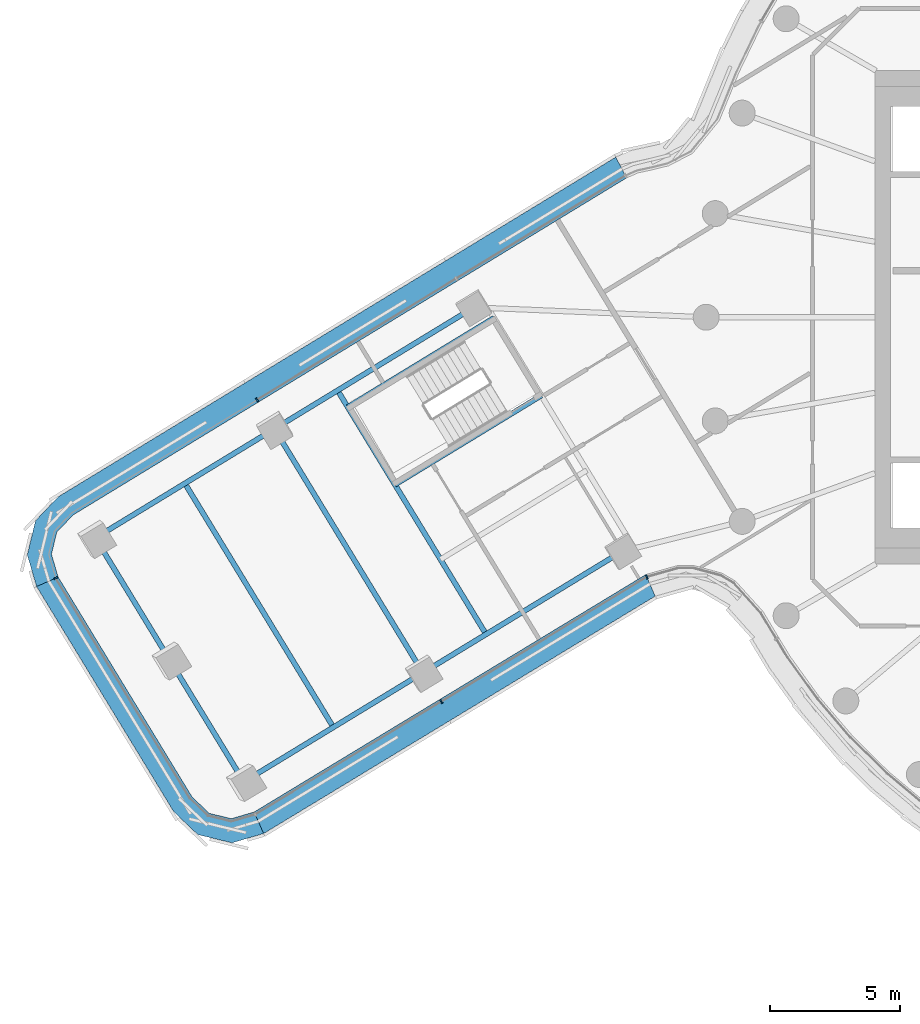
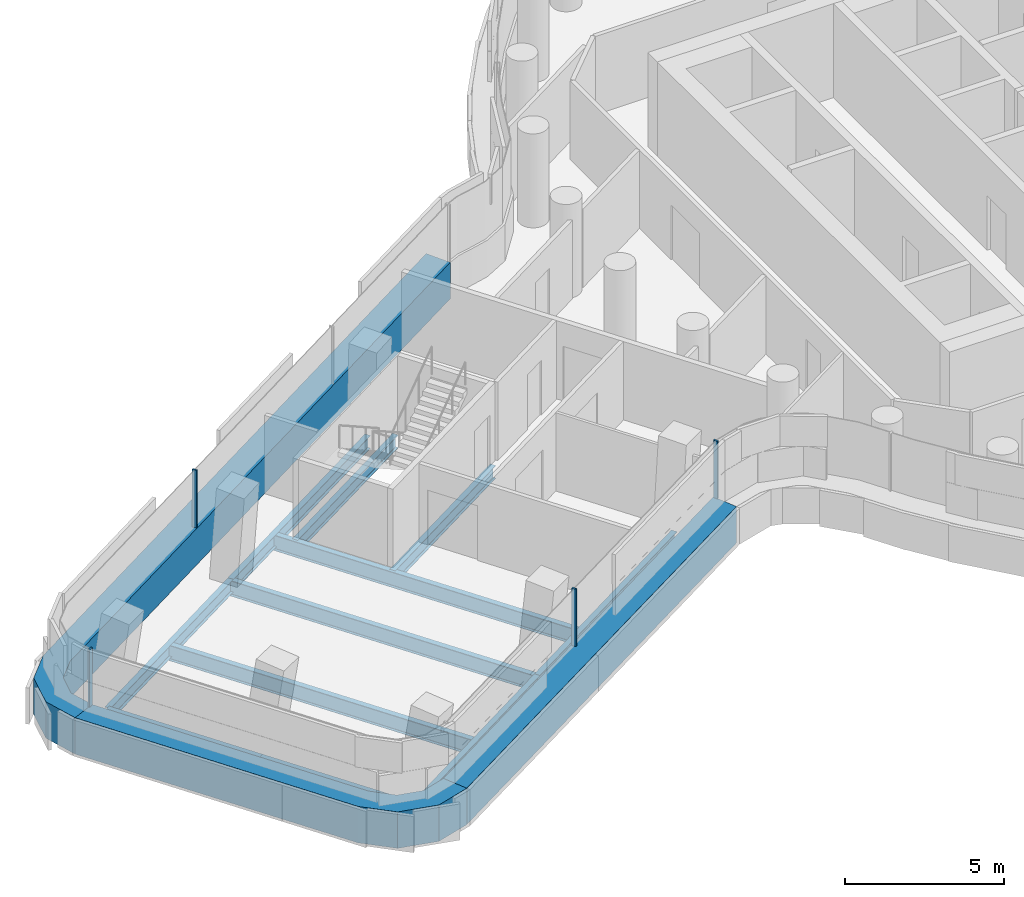
# One storey, part 7 of 35: 11 beams, 7 members, 4 elements without a shape of their own.
"""IFC4 building model written with IfcOpenShell, lengths in metres."""

from ifc_helpers import new_model, si_unit, direction, frame, origin, origin_2d, place, context, subcontext, project, spatial, polyline, rectangle, i_section, outline, extrude, material, layer, layer_set, material_profile, profile_set, type_object, element, aggregate, save


model = new_model("IFC4")

# Units and contexts
model_context = context("Model", 3, precision=1e-05, world=origin(), true_north=direction((0.0, 1.0)))
body_context = subcontext(model_context, "Body", "Model", "MODEL_VIEW")
ifc_project = project(units=[si_unit("LENGTHUNIT", "METRE"), si_unit("AREAUNIT", "SQUARE_METRE"), si_unit("VOLUMEUNIT", "CUBIC_METRE"), si_unit("PLANEANGLEUNIT", "RADIAN"), si_unit("MASSUNIT", "GRAM", prefix="KILO")], contexts=[model_context])

# Site, building, storey
site_placement = place(None, origin())
site = spatial("IfcSite", under=ifc_project, at=site_placement, CompositionType="ELEMENT")
building_placement = place(site_placement, origin())
building = spatial("IfcBuilding", under=site, at=building_placement, Name="Tamarind Cross Interchange Tower", CompositionType="ELEMENT")
storey_placement = place(building_placement, frame((0.0, 0.0, 148.0)))
storey = spatial("IfcBuildingStorey", under=building, at=storey_placement, Name="L36", CompositionType="ELEMENT", Elevation=148.0)

# Beams
ifc_material_1 = material(Name="Steel Q355B", Category="steel")
ifc_material_profile_1 = material_profile(ifc_material_1, i_section(OverallWidth=0.198974609375, OverallDepth=0.49609375, WebThickness=0.009033203125, FlangeThickness=0.013916015625, FilletRadius=0.012939453125, at=origin_2d()), Name="HN 496x199x9x14")
ifc_profile_set_1 = profile_set([ifc_material_profile_1], Name="Steel Q355B")
beam_type_1 = type_object("IfcBeamType", Name="Composite beam HN 496x199x9x14 Q355B", PredefinedType="BEAM", material=ifc_profile_set_1)
beam_1_placement = place(storey_placement, frame((-46.534423828125, -8.503173828125, -0.387939453125), z_axis=(0.854060190551, 0.520174192858, 0.0), x_axis=(-0.520174192858, 0.854060190551, 0.0)))
element("IfcBeam", 1, at=beam_1_placement, inside=storey, type_object=beam_type_1, Name="Beam W-edgeem5", PredefinedType="BEAM", context=body_context, shape_type="SweptSolid", body=[
    extrude(i_section(OverallWidth=0.198974609375, OverallDepth=0.49609375, WebThickness=0.009033203125, FlangeThickness=0.013916015625, FilletRadius=0.012939453125, at=origin_2d()), origin(), (0.0, 0.0, 1.0), 8.076904296875),
])
beam_2_placement = place(storey_placement, frame((-39.63623046875, -4.3017578125, -0.387939453125), z_axis=(0.854056043053, 0.520181002464, 0.0), x_axis=(-0.520181002464, 0.854056043053, 0.0)))
element("IfcBeam", 2, at=beam_2_placement, inside=storey, type_object=beam_type_1, Name="Beam W-edgeem6", PredefinedType="BEAM", context=body_context, shape_type="SweptSolid", body=[
    extrude(i_section(OverallWidth=0.198974609375, OverallDepth=0.49609375, WebThickness=0.009033203125, FlangeThickness=0.013916015625, FilletRadius=0.012939453125, at=origin_2d()), origin(), (0.0, 0.0, 1.0), 9.0),
])
beam_3_placement = place(storey_placement, frame((-40.8125, -17.89794921875, -0.387939453125), z_axis=(0.854046761887, 0.520196240385, 0.0), x_axis=(-0.520196240385, 0.854046761887, 0.0)))
element("IfcBeam", 3, at=beam_3_placement, inside=storey, type_object=beam_type_1, Name="Beam W-edgeep2", PredefinedType="BEAM", context=body_context, shape_type="SweptSolid", body=[
    extrude(i_section(OverallWidth=0.198974609375, OverallDepth=0.49609375, WebThickness=0.009033203125, FlangeThickness=0.013916015625, FilletRadius=0.012939453125, at=origin_2d()), origin(), (0.0, 0.0, 1.0), 8.0771484375),
])
beam_4_placement = place(storey_placement, frame((-33.914306640625, -13.6962890625, -0.387939453125), z_axis=(0.854068094389, 0.520161215535, 0.0), x_axis=(-0.520161215535, 0.854068094389, 0.0)))
element("IfcBeam", 4, at=beam_4_placement, inside=storey, type_object=beam_type_1, Name="Beam W-edgeep3", PredefinedType="BEAM", context=body_context, shape_type="SweptSolid", body=[
    extrude(i_section(OverallWidth=0.198974609375, OverallDepth=0.49609375, WebThickness=0.009033203125, FlangeThickness=0.013916015625, FilletRadius=0.012939453125, at=origin_2d()), origin(), (0.0, 0.0, 1.0), 9.0),
])
beam_5_placement = place(storey_placement, frame((-31.17529296875, -0.026611328125, -0.387939453125), z_axis=(-0.854059947432, -0.52017459203, 0.0), x_axis=(0.52017459203, -0.854059947432, 0.0)))
element("IfcBeam", 5, at=beam_5_placement, inside=storey, type_object=beam_type_1, Name="Beam W-tr0", PredefinedType="BEAM", context=body_context, shape_type="SweptSolid", body=[
    extrude(i_section(OverallWidth=0.198974609375, OverallDepth=0.49609375, WebThickness=0.009033203125, FlangeThickness=0.013916015625, FilletRadius=0.012939453125, at=origin_2d()), origin(), (0.0, 0.0, 1.0), 6.599853515625),
])
beam_6_placement = place(storey_placement, frame((-29.3544921875, -3.015869140625, -0.387939453125), z_axis=(-0.854069956179, -0.520158158595, 0.0), x_axis=(0.520158158595, -0.854069956179, 0.0)))
element("IfcBeam", 6, at=beam_6_placement, inside=storey, type_object=beam_type_1, Name="Beam W-tr1", PredefinedType="BEAM", context=body_context, shape_type="SweptSolid", body=[
    extrude(i_section(OverallWidth=0.198974609375, OverallDepth=0.49609375, WebThickness=0.009033203125, FlangeThickness=0.013916015625, FilletRadius=0.012939453125, at=origin_2d()), origin(), (0.0, 0.0, 1.0), 6.60009765625),
])
ifc_material_profile_2 = material_profile(ifc_material_1, i_section(OverallWidth=0.199951171875, OverallDepth=0.60009765625, WebThickness=0.010986328125, FlangeThickness=0.01708984375, FilletRadius=0.012939453125, at=origin_2d()), Name="HN 600x200x11x17")
ifc_profile_set_2 = profile_set([ifc_material_profile_2], Name="Steel Q355B")
beam_type_2 = type_object("IfcBeamType", Name="Composite beam HN 600x200x11x17 Q355B", PredefinedType="BEAM", material=ifc_profile_set_2)
beam_7_placement = place(storey_placement, frame((-46.534423828125, -8.503173828125, -0.43994140625), z_axis=(0.52016379899, -0.854066520957, 0.0), x_axis=(0.854066520957, 0.52016379899, 0.0)))
element("IfcBeam", 7, at=beam_7_placement, inside=storey, type_object=beam_type_2, Name="Beam W-tip0", PredefinedType="BEAM", context=body_context, shape_type="SweptSolid", body=[
    extrude(i_section(OverallWidth=0.199951171875, OverallDepth=0.60009765625, WebThickness=0.010986328125, FlangeThickness=0.01708984375, FilletRadius=0.012939453125, at=origin_2d()), origin(), (0.0, 0.0, 1.0), 5.5),
])
beam_8_placement = place(storey_placement, frame((-43.673583984375, -13.200439453125, -0.43994140625), z_axis=(0.520176457129, -0.85405881147, 0.0), x_axis=(0.85405881147, 0.520176457129, 0.0)))
element("IfcBeam", 8, at=beam_8_placement, inside=storey, type_object=beam_type_2, Name="Beam W-tip1", PredefinedType="BEAM", context=body_context, shape_type="SweptSolid", body=[
    extrude(i_section(OverallWidth=0.199951171875, OverallDepth=0.60009765625, WebThickness=0.010986328125, FlangeThickness=0.01708984375, FilletRadius=0.012939453125, at=origin_2d()), origin(), (0.0, 0.0, 1.0), 5.500244140625),
])
for number, where, z_axis, x_axis, name in (
    (9, (-37.2021484375, -2.819091796875, -0.43994140625), (0.520170128267, -0.854062666119, 0.0), (0.854062666119, 0.520170128267, 0.0), "Beam W-x364"),
    (10, (-39.63623046875, -4.3017578125, -0.43994140625), (0.520179988456, -0.854056660655, 0.0), (0.854056660655, 0.520179988456, 0.0), "Beam W-x393"),
    (11, (-43.08544921875, -6.40234375, -0.43994140625), (0.520170128267, -0.854062666119, 0.0), (0.854062666119, 0.520170128267, 0.0), "Beam W-x433"),
):
    element("IfcBeam", number, at=place(storey_placement, frame(where, z_axis=z_axis, x_axis=x_axis)), inside=storey, type_object=beam_type_2, Name=name, PredefinedType="BEAM", context=body_context, shape_type="SweptSolid", body=[
        extrude(i_section(OverallWidth=0.199951171875, OverallDepth=0.60009765625, WebThickness=0.010986328125, FlangeThickness=0.01708984375, FilletRadius=0.012939453125, at=origin_2d()), origin(), (0.0, 0.0, 1.0), 11.0),
    ])

# Curtain wall, member
ifc_material_2 = material(Name="Aluminium 6063-T6", Category="aluminium")
ifc_layer = layer(ifc_material_2, 0.159912109375)
ifc_layer_set = layer_set([ifc_layer], Name="Aluminium 6063-T6")
curtain_wall_type = type_object("IfcCurtainWallType", Name="Office curtain wall, 9.0 m bays", PredefinedType="NOTDEFINED", material=ifc_layer_set)
curtain_wall_1_placement = place(storey_placement, origin())
curtain_wall_1 = element("IfcCurtainWall", 12, at=curtain_wall_1_placement, inside=storey, type_object=curtain_wall_type, Name="CWS-L36-00", PredefinedType="NOTDEFINED")
ifc_material_3 = material(Name="Aluminium and insulated spandrel panel", Category="aluminium")
member_type_1 = type_object("IfcMemberType", Name="Floor-edge blade transom", PredefinedType="USERDEFINED", material=ifc_material_3)
member_1_placement = place(storey_placement, origin())
member_1 = element("IfcMember", 13, at=member_1_placement, type_object=member_type_1, Name="CWT-L36-00", ObjectType="TRANSOM", PredefinedType="USERDEFINED", context=body_context, shape_type="SweptSolid", body=[
    extrude(outline(polyline([(-47.968505859375, -10.00830078125), (-42.807861328125, -18.4814453125), (-42.1455078125, -19.11328125), (-41.295654296875, -19.31982421875), (-40.4169921875, -19.06201171875), (-40.051025390625, -19.892578125), (-41.27392578125, -20.251220703125), (-42.59228515625, -19.930908203125), (-43.5146484375, -19.05078125), (-48.798583984375, -10.375244140625), (-47.968505859375, -10.00830078125)])), origin(), (0.0, 0.0, 1.0), 1.39990234375),
])

curtain_wall_2_placement = place(storey_placement, origin())
curtain_wall_2 = element("IfcCurtainWall", 14, at=curtain_wall_2_placement, inside=storey, type_object=curtain_wall_type, Name="CWS-L36-01", PredefinedType="NOTDEFINED")
member_2_placement = place(storey_placement, origin())
member_2 = element("IfcMember", 15, at=member_2_placement, type_object=member_type_1, Name="CWT-L36-01", ObjectType="TRANSOM", PredefinedType="USERDEFINED", context=body_context, shape_type="SweptSolid", body=[
    extrude(outline(polyline([(-40.4169921875, -19.06201171875), (-25.32666015625, -9.91357421875), (-24.964111328125, -10.74609375), (-40.051025390625, -19.892578125), (-40.4169921875, -19.06201171875)])), origin(), (0.0, 0.0, 1.0), 1.39990234375),
])

curtain_wall_3_placement = place(storey_placement, origin())
curtain_wall_3 = element("IfcCurtainWall", 16, at=curtain_wall_3_placement, inside=storey, type_object=curtain_wall_type, Name="CWS-L36-15", PredefinedType="NOTDEFINED")
member_3_placement = place(storey_placement, origin())
member_3 = element("IfcMember", 17, at=member_3_placement, type_object=member_type_1, Name="CWT-L36-15", ObjectType="TRANSOM", PredefinedType="USERDEFINED", context=body_context, shape_type="SweptSolid", body=[
    extrude(outline(polyline([(-26.064208984375, 5.36962890625), (-47.3876953125, -7.61767578125), (-48.01953125, -8.280029296875), (-48.22607421875, -9.1298828125), (-47.968505859375, -10.00830078125), (-48.798583984375, -10.375244140625), (-49.157470703125, -9.151611328125), (-48.837158203125, -7.833251953125), (-47.95703125, -6.91064453125), (-26.48193359375, 6.1689453125), (-26.064208984375, 5.36962890625)])), origin(), (0.0, 0.0, 1.0), 1.39990234375),
])

# Member
ifc_material_profile_3 = material_profile(ifc_material_2, rectangle(XDim=0.06005859375, YDim=0.159912109375, at=origin_2d()), Name="Mullion CW1")
ifc_profile_set_3 = profile_set([ifc_material_profile_3], Name="Aluminium 6063-T6")
member_type_2 = type_object("IfcMemberType", Name="Mullion CW1", PredefinedType="MULLION", material=ifc_profile_set_3)
member_4_placement = place(storey_placement, frame((-48.060546875, -10.049072265625, 1.39990234375), z_axis=(0.0, 0.0, 1.0), x_axis=(0.404247815874, -0.914649497546, 0.0)))
member_4 = element("IfcMember", 18, at=member_4_placement, type_object=member_type_2, Name="CWM-L36-00-00", PredefinedType="MULLION", context=body_context, shape_type="SweptSolid", body=[
    extrude(rectangle(XDim=0.06005859375, YDim=0.159912109375, at=origin_2d()), origin(), (0.0, 0.0, 1.0), 2.210205078125),
])

aggregate(curtain_wall_1, [member_4, member_1])

member_5_placement = place(storey_placement, frame((-33.2060546875, -14.807373046875, 1.39990234375), z_axis=(0.0, 0.0, 1.0), x_axis=(0.855123301434, 0.518424670848, 0.0)))
member_5 = element("IfcMember", 19, at=member_5_placement, type_object=member_type_2, Name="CWM-L36-01-01", PredefinedType="MULLION", context=body_context, shape_type="SweptSolid", body=[
    extrude(rectangle(XDim=0.06005859375, YDim=0.159912109375, at=origin_2d()), origin(), (0.0, 0.0, 1.0), 2.210205078125),
])

aggregate(curtain_wall_2, [member_5, member_2])

# Curtain wall, member
curtain_wall_4_placement = place(storey_placement, origin())
curtain_wall_4 = element("IfcCurtainWall", 20, at=curtain_wall_4_placement, inside=storey, type_object=curtain_wall_type, Name="CWS-L36-02", PredefinedType="NOTDEFINED")
member_6_placement = place(storey_placement, frame((-25.286376953125, -10.006103515625, 1.39990234375), z_axis=(0.0, 0.0, 1.0), x_axis=(0.916769332296, 0.399417064435, 0.0)))
member_6 = element("IfcMember", 21, at=member_6_placement, type_object=member_type_2, Name="CWM-L36-02-00", PredefinedType="MULLION", context=body_context, shape_type="SweptSolid", body=[
    extrude(rectangle(XDim=0.06005859375, YDim=0.159912109375, at=origin_2d()), origin(), (0.0, 0.0, 1.0), 2.210205078125),
])
aggregate(curtain_wall_4, [member_6])

# Member
member_7_placement = place(storey_placement, frame((-40.30126953125, -3.1845703125, 1.39990234375), z_axis=(0.0, 0.0, 1.0), x_axis=(-0.854059616181, -0.520175135901, 0.0)))
member_7 = element("IfcMember", 22, at=member_7_placement, type_object=member_type_2, Name="CWM-L36-15-02", PredefinedType="MULLION", context=body_context, shape_type="SweptSolid", body=[
    extrude(rectangle(XDim=0.06005859375, YDim=0.159912109375, at=origin_2d()), origin(), (0.0, 0.0, 1.0), 2.210205078125),
])

aggregate(curtain_wall_3, [member_7, member_3])

save(model, "model.ifc")
